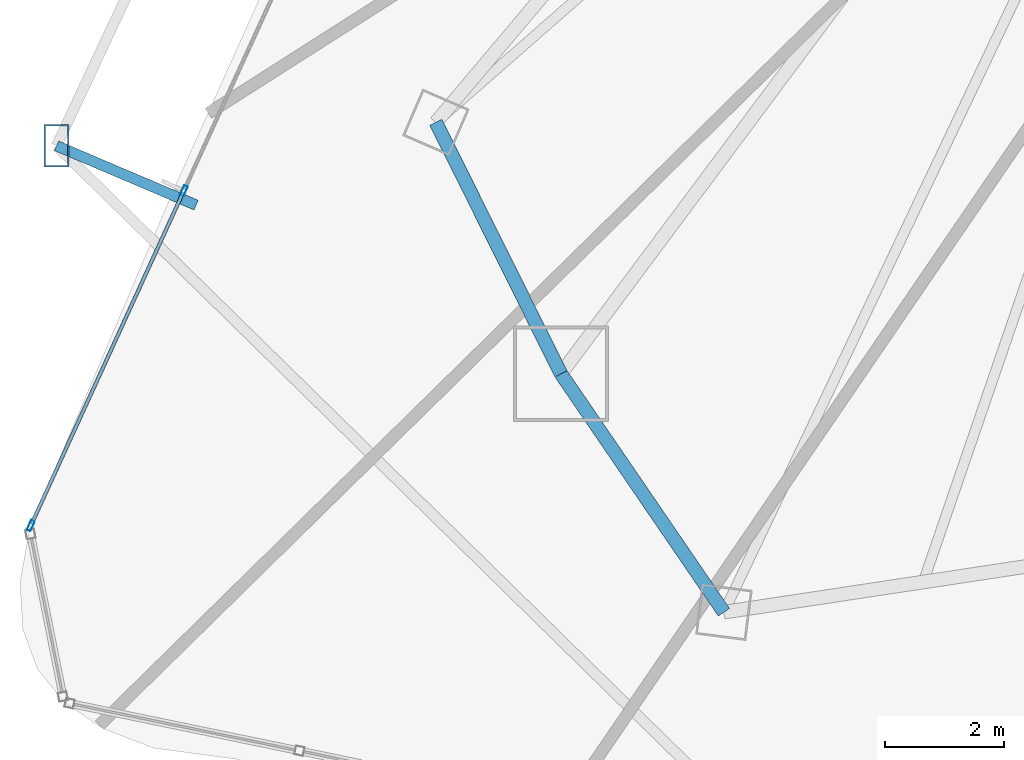
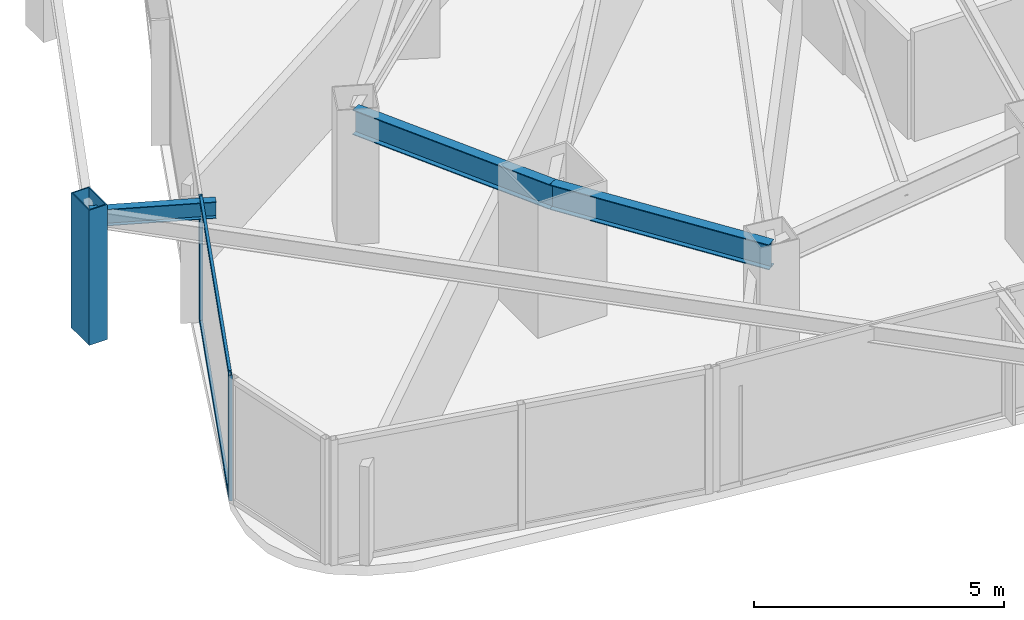
# One storey, part 5 of 34: 5 members, 3 beams, 1 element without a shape of its own.
"""IFC4 building model written with IfcOpenShell, lengths in metres."""

import ifcopenshell
import ifcopenshell.guid

model = None  # the IFC model being written
_history = None  # IfcOwnerHistory: only IFC2X3 demands one
_inside = {}  # id of a spatial element -> (the spatial element, [elements in it])
_under = {}  # id of a project, library or spatial element -> (it, [spatial elements below it])
_declared = {}  # id of a project -> (the project, [libraries it declares])
_typed = {}  # id of a type object -> (the type object, [elements of that type])
_made_of = {}  # id of a material, layer set ... -> (it, [elements and type objects made of it])


def new_model(schema):
    """Start an empty IFC model of exactly this schema.

    Asked for "IFC4X3", IfcOpenShell would pick the latest addendum, in which some entities
    have other attributes; the version numbers below select the first issue.
    IFC2X3 requires an IfcOwnerHistory on every rooted entity: one is made here for all.
    """
    global model, _history
    if schema == "IFC4X3":
        model = ifcopenshell.file(schema_version=(4, 3, 0, 0))
    else:
        model = ifcopenshell.file(schema=schema)
    _inside.clear()
    _under.clear()
    _declared.clear()
    _typed.clear()
    _made_of.clear()
    _history = None
    if model.schema == "IFC2X3":
        org = make("IfcOrganization", Name="unknown")
        user = make(
            "IfcPersonAndOrganization",
            ThePerson=make("IfcPerson", FamilyName="unknown"),
            TheOrganization=org,
        )
        app = make(
            "IfcApplication",
            ApplicationDeveloper=org,
            Version="unknown",
            ApplicationFullName="unknown",
            ApplicationIdentifier="unknown",
        )
        _history = make(
            "IfcOwnerHistory",
            OwningUser=user,
            OwningApplication=app,
            ChangeAction="ADDED",
            CreationDate=0,
        )
    return model


def make(cls, **values):
    """One entity of the class cls with the attributes given. An attribute that is None is left unset."""
    return model.create_entity(
        cls, **{name: value for name, value in values.items() if value is not None}
    )


def rooted(cls, **values):
    """An entity with a GlobalId (a new one), such as an element, a storey or a relation."""
    return make(cls, GlobalId=ifcopenshell.guid.new(), OwnerHistory=_history, **values)


def si_unit(unit_type, name, prefix=None):
    """IfcSIUnit, for example si_unit("LENGTHUNIT", "METRE", prefix="MILLI")."""
    return make("IfcSIUnit", UnitType=unit_type, Prefix=prefix, Name=name)


def assignment(units):
    """IfcUnitAssignment: the units of a project."""
    return None if units is None else make("IfcUnitAssignment", Units=units)


def point(xyz):
    """IfcCartesianPoint."""
    return None if xyz is None else make("IfcCartesianPoint", Coordinates=xyz)


def direction(xyz):
    """IfcDirection."""
    return None if xyz is None else make("IfcDirection", DirectionRatios=xyz)


def frame(location, z_axis=None, x_axis=None):
    """IfcAxis2Placement3D, a coordinate frame: its origin and axes. An axis left out is left unset."""
    return make(
        "IfcAxis2Placement3D",
        Location=point(location),
        Axis=direction(z_axis),
        RefDirection=direction(x_axis),
    )


def frame_2d(location, x_axis=None):
    """IfcAxis2Placement2D, a coordinate frame in the plane: its origin and x axis."""
    return make(
        "IfcAxis2Placement2D", Location=point(location), RefDirection=direction(x_axis)
    )


def origin():
    """The frame at (0, 0, 0) with its axes left unset."""
    return frame((0.0, 0.0, 0.0))


def origin_2d():
    """The frame at (0, 0) in the plane with its x axis left unset."""
    return frame_2d((0.0, 0.0))


def place(relative_to, where):
    """IfcLocalPlacement: puts the frame where relative to a parent placement (None: the world)."""
    return make(
        "IfcLocalPlacement", PlacementRelTo=relative_to, RelativePlacement=where
    )


def context(
    kind, dimensions, precision=None, world=None, true_north=None, identifier=None
):
    """IfcGeometricRepresentationContext, for example the 3D "Model" context."""
    return make(
        "IfcGeometricRepresentationContext",
        ContextIdentifier=identifier,
        ContextType=kind,
        CoordinateSpaceDimension=dimensions,
        Precision=precision,
        WorldCoordinateSystem=world,
        TrueNorth=true_north,
    )


def subcontext(parent, identifier, kind, view, scale=None):
    """IfcGeometricRepresentationSubContext, for example "Body" below "Model"."""
    return make(
        "IfcGeometricRepresentationSubContext",
        ContextIdentifier=identifier,
        ContextType=kind,
        ParentContext=parent,
        TargetScale=scale,
        TargetView=view,
    )


def project(units=None, contexts=None):
    """IfcProject with its units and contexts."""
    return rooted(
        "IfcProject",
        Name="project",
        RepresentationContexts=contexts,
        UnitsInContext=assignment(units),
    )


def spatial(cls, under=None, at=None, **own):
    """A site, building, storey or space (cls), placed at a placement, below another one or the project."""
    s = rooted(cls, ObjectPlacement=at, **own)
    if under is not None:
        _under.setdefault(under.id(), (under, []))[1].append(s)
    return s


def profile(cls, at=None, kind="AREA", **sizes):
    """A parametric profile (cls). Its sizes go by their IFC names, for example OverallWidth=200.0."""
    return make(cls, ProfileType=kind, Position=at, **sizes)


def hollow_rectangle(**sizes):
    """IfcRectangleHollowProfileDef."""
    return profile("IfcRectangleHollowProfileDef", **sizes)


def i_section(**sizes):
    """IfcIShapeProfileDef."""
    return profile("IfcIShapeProfileDef", **sizes)


def extrude(swept, where, along, depth):
    """IfcExtrudedAreaSolid: the profile swept, set in the frame where, extruded along a direction by depth."""
    return make(
        "IfcExtrudedAreaSolid",
        SweptArea=swept,
        Position=where,
        ExtrudedDirection=direction(along),
        Depth=depth,
    )


def shape(context_of_items, identifier, shape_type, items):
    """IfcShapeRepresentation: the items that make up one representation, for example the "Body"."""
    return make(
        "IfcShapeRepresentation",
        ContextOfItems=context_of_items,
        RepresentationIdentifier=identifier,
        RepresentationType=shape_type,
        Items=items,
    )


def material(Name=None, Category=None):
    """IfcMaterial."""
    return make("IfcMaterial", Name=Name, Category=Category)


def layer(
    of_material, thickness, ventilated=None, Name=None, Category=None, Priority=None
):
    """IfcMaterialLayer: one layer of a wall or slab, of a material (None: an air gap)."""
    return make(
        "IfcMaterialLayer",
        Material=of_material,
        LayerThickness=thickness,
        IsVentilated=ventilated,
        Name=Name,
        Category=Category,
        Priority=Priority,
    )


def layer_set(layers, Name=None):
    """IfcMaterialLayerSet."""
    return make("IfcMaterialLayerSet", MaterialLayers=layers, LayerSetName=Name)


def material_profile(
    of_material, cross_section, Name=None, Category=None, Priority=None
):
    """IfcMaterialProfile: a cross section and its material."""
    return make(
        "IfcMaterialProfile",
        Name=Name,
        Material=of_material,
        Profile=cross_section,
        Priority=Priority,
        Category=Category,
    )


def profile_set(profiles, Name=None, composite=None):
    """IfcMaterialProfileSet."""
    return make(
        "IfcMaterialProfileSet",
        Name=Name,
        MaterialProfiles=profiles,
        CompositeProfile=composite,
    )


def made_of(thing, what):
    """Note that an element or type object is made of a material, layer set ...; save() writes the relation."""
    if what is not None:
        _made_of.setdefault(what.id(), (what, []))[1].append(thing)
    return thing


def type_object(cls, material=None, **own):
    """A type object (cls), such as IfcWallType, which elements share."""
    return made_of(rooted(cls, **own), material)


def element(
    cls,
    number,
    at=None,
    inside=None,
    cuts=None,
    type_object=None,
    material=None,
    context=None,
    identifier="Body",
    shape_type=None,
    held_by="IfcProductDefinitionShape",
    body=None,
    shapes=None,
    **own,
):
    """One element of the class cls, such as IfcWall. Its Tag is "e" and its number.

    at: its placement. inside: the storey or other place that contains it. cuts: it is an
    opening in that element (IfcRelVoidsElement). A single representation is given by context,
    identifier, shape_type and body (its items); several are given by shapes. held_by: the class
    of the entity that holds the representations. save() writes the other relations.
    """
    e = rooted(cls, Tag="e%d" % number, ObjectPlacement=at, **own)
    if body is not None:
        shapes = [shape(context, identifier, shape_type, body)]
    if shapes is not None:
        e.Representation = make(held_by, Representations=shapes)
    if inside is not None:
        _inside.setdefault(inside.id(), (inside, []))[1].append(e)
    if cuts is not None:
        rooted(
            "IfcRelVoidsElement", RelatingBuildingElement=cuts, RelatedOpeningElement=e
        )
    if type_object is not None:
        _typed.setdefault(type_object.id(), (type_object, []))[1].append(e)
    return made_of(e, material)


def aggregate(whole, parts):
    """IfcRelAggregates: a whole, such as a stair, and the parts it consists of."""
    return rooted("IfcRelAggregates", RelatingObject=whole, RelatedObjects=parts)


def save(model, path):
    """Write the relations noted so far, then the file.

    IfcRelAggregates (storeys below a building ...), IfcRelContainedInSpatialStructure (elements
    in a storey), IfcRelDefinesByType, IfcRelAssociatesMaterial and IfcRelDeclares: one each for
    every whole, place, type object, material and project.
    """
    for whole, parts in _under.values():
        aggregate(whole, parts)
    for where, things in _inside.values():
        rooted(
            "IfcRelContainedInSpatialStructure",
            RelatedElements=things,
            RelatingStructure=where,
        )
    for kind, things in _typed.values():
        rooted("IfcRelDefinesByType", RelatedObjects=things, RelatingType=kind)
    for what, things in _made_of.values():
        rooted("IfcRelAssociatesMaterial", RelatedObjects=things, RelatingMaterial=what)
    for by, libraries in _declared.values():
        rooted("IfcRelDeclares", RelatingContext=by, RelatedDefinitions=libraries)
    model.write(path)


model = new_model("IFC4")

# Units and contexts
model_context = context("Model", 3, precision=1e-05, world=origin(), true_north=direction((0.0, 1.0)))
body_context = subcontext(model_context, "Body", "Model", "MODEL_VIEW")
ifc_project = project(units=[si_unit("LENGTHUNIT", "METRE"), si_unit("AREAUNIT", "SQUARE_METRE"), si_unit("VOLUMEUNIT", "CUBIC_METRE"), si_unit("PLANEANGLEUNIT", "RADIAN"), si_unit("MASSUNIT", "GRAM", prefix="KILO")], contexts=[model_context])

# Site, building, storey
site_placement = place(None, origin())
site = spatial("IfcSite", under=ifc_project, at=site_placement, CompositionType="ELEMENT")
building_placement = place(site_placement, origin())
building = spatial("IfcBuilding", under=site, at=building_placement, Name="Orvanel Arch Residences", CompositionType="ELEMENT")
storey_placement = place(building_placement, frame((0.0, 0.0, 64.25)))
storey = spatial("IfcBuildingStorey", under=building, at=storey_placement, Name="L17", CompositionType="ELEMENT", Elevation=64.25)

# Member
ifc_material_1 = material(Name="Structural steel AS/NZS 3678 Grade 350", Category="steel")
ifc_material_profile_1 = material_profile(ifc_material_1, hollow_rectangle(XDim=0.419921875, YDim=0.719970703125, WallThickness=0.02490234375, at=origin_2d()), Name="RHS720x420x25")
ifc_profile_set_1 = profile_set([ifc_material_profile_1], Name="Structural steel AS/NZS 3678 Grade 350")
member_type_1 = type_object("IfcMemberType", Name="CH-720RHS-EXT", PredefinedType="CHORD", material=ifc_profile_set_1)
member_1_placement = place(storey_placement, frame((5.712890625, 14.18603515625, 0.0), z_axis=(0.0, 0.0, 1.0), x_axis=(1.0, 0.0, 0.0)))
element("IfcMember", 1, at=member_1_placement, inside=storey, type_object=member_type_1, Name="L17 Outer Perimeter Frame Post 04", PredefinedType="CHORD", context=body_context, shape_type="SweptSolid", body=[
    extrude(hollow_rectangle(XDim=0.419921875, YDim=0.719970703125, WallThickness=0.02490234375, at=origin_2d()), origin(), (0.0, 0.0, 1.0), 3.300048828125),
])

# Curtain wall, members
ifc_material_2 = material(Name="Bronze-anodised aluminium AA6063-T6", Category="aluminium")
ifc_layer = layer(ifc_material_2, 0.179931640625)
ifc_layer_set = layer_set([ifc_layer], Name="Bronze-anodised aluminium AA6063-T6")
curtain_wall_type = type_object("IfcCurtainWallType", Name="CW2-LOW-SYS", PredefinedType="NOTDEFINED", material=ifc_layer_set)
curtain_wall_placement = place(storey_placement, origin())
curtain_wall = element("IfcCurtainWall", 2, at=curtain_wall_placement, inside=storey, type_object=curtain_wall_type, Name="L17 CW2-LOW-SYS Unitised Curtain Wall", PredefinedType="NOTDEFINED")
ifc_material_profile_2 = material_profile(ifc_material_2, hollow_rectangle(XDim=0.070068359375, YDim=0.179931640625, WallThickness=0.00439453125, at=origin_2d()), Name="ALU180x70x4.5")
ifc_profile_set_2 = profile_set([ifc_material_profile_2], Name="Bronze-anodised aluminium AA6063-T6")
member_type_2 = type_object("IfcMemberType", Name="MUL-180x70", PredefinedType="MULLION", material=ifc_profile_set_2)
member_2_placement = place(storey_placement, frame((7.854248046875, 13.42822265625, 0.0), z_axis=(0.0, 0.0, 1.0), x_axis=(0.909506848006, -0.415688938305, 0.0)))
member_2 = element("IfcMember", 3, at=member_2_placement, type_object=member_type_2, Name="CW-S2 mullion 3", PredefinedType="MULLION", context=body_context, shape_type="SweptSolid", body=[
    extrude(hollow_rectangle(XDim=0.070068359375, YDim=0.179931640625, WallThickness=0.00439453125, at=origin_2d()), origin(), (0.0, 0.0, 1.0), 3.06005859375),
])
member_3_placement = place(storey_placement, frame((5.279541015625, 7.794921875, 0.0), z_axis=(0.0, 0.0, 1.0), x_axis=(0.909506848006, -0.415688938305, 0.0)))
member_3 = element("IfcMember", 4, at=member_3_placement, type_object=member_type_2, Name="CW-S2 mullion 4", PredefinedType="MULLION", context=body_context, shape_type="SweptSolid", body=[
    extrude(hollow_rectangle(XDim=0.070068359375, YDim=0.179931640625, WallThickness=0.00439453125, at=origin_2d()), origin(), (0.0, 0.0, 1.0), 3.06005859375),
])

# Beams
ifc_material_3 = material(Name="Structural steel AS/NZS 3679.1 Grade 300 (300 MPa)", Category="steel")
ifc_material_profile_3 = material_profile(ifc_material_3, i_section(OverallWidth=0.177978515625, OverallDepth=0.406005859375, WebThickness=0.0078125, FlangeThickness=0.0126953125, at=origin_2d()), Name="410UB59.7")
ifc_profile_set_3 = profile_set([ifc_material_profile_3], Name="Structural steel AS/NZS 3679.1 Grade 300 (300 MPa)")
beam_type_1 = type_object("IfcBeamType", Name="OB-410UB-EXT", PredefinedType="SPANDREL", material=ifc_profile_set_3)
beam_1_placement = place(storey_placement, frame((8.06005859375, 13.18798828125, 2.85693359375), z_axis=(-0.920260265617, 0.391306840633, 0.0), x_axis=(-0.391306840633, -0.920260265617, 0.0)))
element("IfcBeam", 5, at=beam_1_placement, inside=storey, type_object=beam_type_1, Name="L17 Outer Frame Radial Tie Beam 04", PredefinedType="SPANDREL", context=body_context, shape_type="SweptSolid", body=[
    extrude(i_section(OverallWidth=0.177978515625, OverallDepth=0.406005859375, WebThickness=0.0078125, FlangeThickness=0.0126953125, at=origin_2d()), origin(), (0.0, 0.0, 1.0), 2.550537109375),
])
ifc_material_profile_4 = material_profile(ifc_material_3, i_section(OverallWidth=0.22900390625, OverallDepth=0.612060546875, WebThickness=0.011962890625, FlangeThickness=0.01953125, at=origin_2d()), Name="610UB125")
ifc_profile_set_4 = profile_set([ifc_material_profile_4], Name="Structural steel AS/NZS 3679.1 Grade 300 (300 MPa)")
beam_type_2 = type_object("IfcBeamType", Name="SP-610UB", PredefinedType="SPANDREL", material=ifc_profile_set_4)
beam_2_placement = place(storey_placement, frame((12.094970703125, 14.580078125, 2.75390625), z_axis=(0.44543469453, -0.895314432425, 0.0), x_axis=(0.895314432425, 0.44543469453, 0.0)))
element("IfcBeam", 6, at=beam_2_placement, inside=storey, type_object=beam_type_2, Name="L17 Perimeter Spandrel Beam 02", PredefinedType="SPANDREL", context=body_context, shape_type="SweptSolid", body=[
    extrude(i_section(OverallWidth=0.22900390625, OverallDepth=0.612060546875, WebThickness=0.011962890625, FlangeThickness=0.01953125, at=origin_2d()), origin(), (0.0, 0.0, 1.0), 4.723388671875),
])
beam_3_placement = place(storey_placement, frame((14.198974609375, 10.35107421875, 2.75390625), z_axis=(0.564251579852, -0.825602903722, 0.0), x_axis=(0.825602903722, 0.564251579852, 0.0)))
element("IfcBeam", 7, at=beam_3_placement, inside=storey, type_object=beam_type_2, Name="L17 Perimeter Spandrel Beam 03", PredefinedType="SPANDREL", context=body_context, shape_type="SweptSolid", body=[
    extrude(i_section(OverallWidth=0.22900390625, OverallDepth=0.612060546875, WebThickness=0.011962890625, FlangeThickness=0.01953125, at=origin_2d()), origin(), (0.0, 0.0, 1.0), 4.859375),
])

# Member
ifc_material_profile_5 = material_profile(ifc_material_2, hollow_rectangle(XDim=0.06005859375, YDim=0.135009765625, WallThickness=0.00390625, at=origin_2d()), Name="ALU135x60x4")
ifc_profile_set_5 = profile_set([ifc_material_profile_5], Name="Bronze-anodised aluminium AA6063-T6")
member_type_3 = type_object("IfcMemberType", Name="TRN-135x60", PredefinedType="USERDEFINED", material=ifc_profile_set_5)
member_4_placement = place(storey_placement, frame((7.83984375, 13.396484375, 0.030029296875), z_axis=(-0.415685329324, -0.909508497478, 0.0), x_axis=(0.909508497478, -0.415685329324, 0.0)))
member_4 = element("IfcMember", 8, at=member_4_placement, type_object=member_type_3, Name="CW-S2 transom 3.1", ObjectType="TRANSOM", PredefinedType="USERDEFINED", context=body_context, shape_type="SweptSolid", body=[
    extrude(hollow_rectangle(XDim=0.06005859375, YDim=0.135009765625, WallThickness=0.00390625, at=origin_2d()), origin(), (0.0, 0.0, 1.0), 6.1240234375),
])

member_5_placement = place(storey_placement, frame((7.83984375, 13.396484375, 3.030029296875), z_axis=(-0.415685329324, -0.909508497478, 0.0), x_axis=(0.909508497478, -0.415685329324, 0.0)))
member_5 = element("IfcMember", 9, at=member_5_placement, type_object=member_type_3, Name="CW-S2 transom 3.2", ObjectType="TRANSOM", PredefinedType="USERDEFINED", context=body_context, shape_type="SweptSolid", body=[
    extrude(hollow_rectangle(XDim=0.06005859375, YDim=0.135009765625, WallThickness=0.00390625, at=origin_2d()), origin(), (0.0, 0.0, 1.0), 6.1240234375),
])

aggregate(curtain_wall, [member_2, member_3, member_4, member_5])

save(model, "model.ifc")
